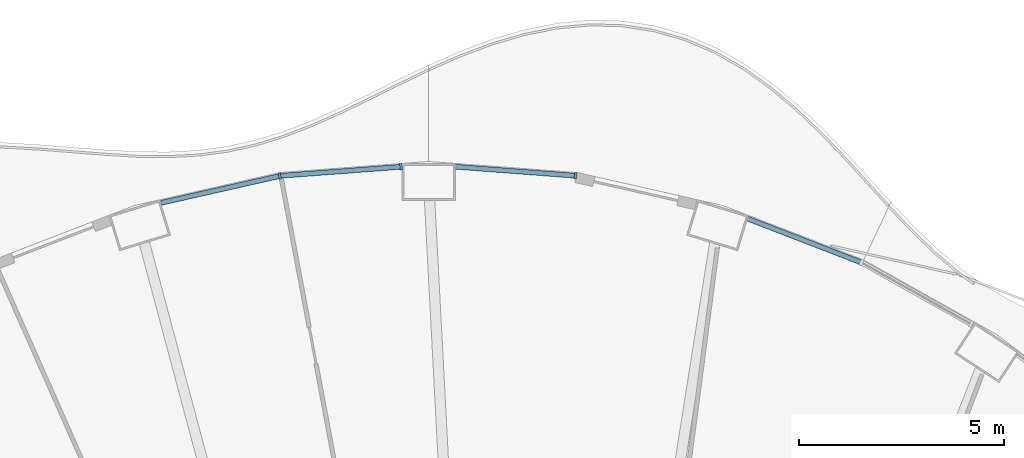
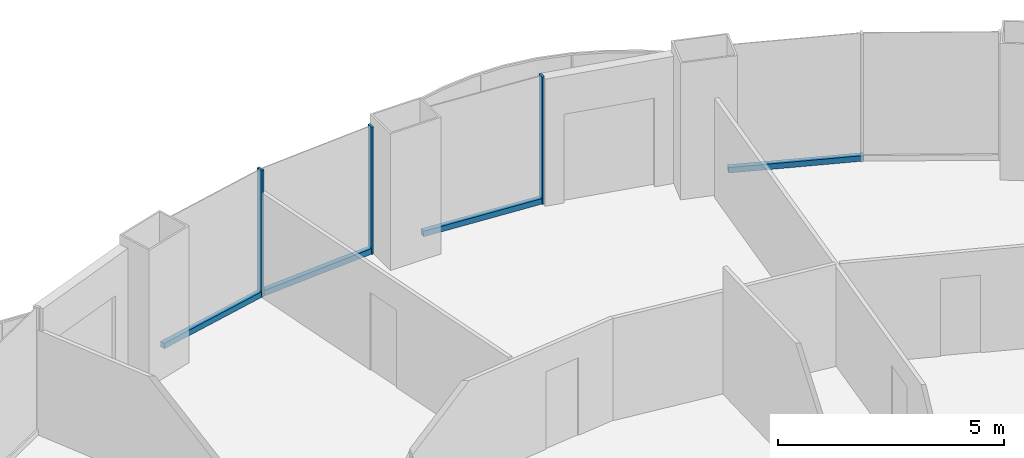
# One storey, part 11 of 22: 7 members, 4 elements without a shape of their own.
"""IFC4 building model written with IfcOpenShell, lengths in metres."""

from ifc_helpers import new_model, si_unit, direction, frame, origin, origin_2d, place, context, subcontext, project, spatial, rectangle, extrude, material, layer, layer_set, material_profile, profile_set, type_object, element, aggregate, save


model = new_model("IFC4")

# Units and contexts
model_context = context("Model", 3, precision=1e-05, world=origin(), true_north=direction((0.0, 1.0)))
body_context = subcontext(model_context, "Body", "Model", "MODEL_VIEW")
ifc_project = project(units=[si_unit("LENGTHUNIT", "METRE"), si_unit("AREAUNIT", "SQUARE_METRE"), si_unit("VOLUMEUNIT", "CUBIC_METRE"), si_unit("PLANEANGLEUNIT", "RADIAN"), si_unit("MASSUNIT", "GRAM", prefix="KILO")], contexts=[model_context])

# Site, building, storey
site_placement = place(None, origin())
site = spatial("IfcSite", under=ifc_project, at=site_placement, CompositionType="ELEMENT")
building_placement = place(site_placement, origin())
building = spatial("IfcBuilding", under=site, at=building_placement, Name="Nagisa Residences", CompositionType="ELEMENT")
storey_placement = place(building_placement, frame((0.0, 0.0, 73.300048828125)))
storey = spatial("IfcBuildingStorey", under=building, at=storey_placement, Name="L17", CompositionType="ELEMENT", Elevation=73.300048828125)

# Curtain wall, member
ifc_material_1 = material(Name="Concrete-coloured aluminium curtain wall system", Category="concrete")
ifc_layer = layer(ifc_material_1, 0.159912109375)
ifc_layer_set = layer_set([ifc_layer], Name="CW1 CURTAIN WALL")
curtain_wall_type = type_object("IfcCurtainWallType", Name="CW1 CURTAIN WALL", PredefinedType="NOTDEFINED", material=ifc_layer_set)
curtain_wall_1_placement = place(storey_placement, origin())
curtain_wall_1 = element("IfcCurtainWall", 1, at=curtain_wall_1_placement, inside=storey, type_object=curtain_wall_type, Name="cw:CW1:L17:11", PredefinedType="NOTDEFINED")
ifc_material_2 = material(Name="Concrete-coloured aluminium", Category="concrete")
ifc_material_profile_1 = material_profile(ifc_material_2, rectangle(XDim=0.159912109375, YDim=0.06005859375, at=origin_2d()), Name="CW1 MULLION 160x60")
ifc_profile_set_1 = profile_set([ifc_material_profile_1], Name="Concrete-coloured aluminium")
member_type_1 = type_object("IfcMemberType", Name="CW1 MULLION 160x60", PredefinedType="MULLION", material=ifc_profile_set_1)
member_1_placement = place(storey_placement, frame((1.779052734375, 34.28564453125, 0.0), z_axis=(0.0, 0.0, 1.0), x_axis=(-0.074377355493, -0.997230168512, 0.0)))
member_1 = element("IfcMember", 2, at=member_1_placement, type_object=member_type_1, Name="CW1 mullion", PredefinedType="MULLION", context=body_context, shape_type="SweptSolid", body=[
    extrude(rectangle(XDim=0.159912109375, YDim=0.06005859375, at=origin_2d()), origin(), (0.0, 0.0, 1.0), 3.43994140625),
])

curtain_wall_2_placement = place(storey_placement, origin())
curtain_wall_2 = element("IfcCurtainWall", 3, at=curtain_wall_2_placement, inside=storey, type_object=curtain_wall_type, Name="cw:CW1:L17:12", PredefinedType="NOTDEFINED")
member_2_placement = place(storey_placement, frame((-2.47216796875, 34.50244140625, 0.0), z_axis=(0.0, 0.0, 1.0), x_axis=(0.074377355493, -0.997230168512, 0.0)))
member_2 = element("IfcMember", 4, at=member_2_placement, type_object=member_type_1, Name="CW1 mullion", PredefinedType="MULLION", context=body_context, shape_type="SweptSolid", body=[
    extrude(rectangle(XDim=0.159912109375, YDim=0.06005859375, at=origin_2d()), origin(), (0.0, 0.0, 1.0), 3.43994140625),
])

curtain_wall_3_placement = place(storey_placement, origin())
curtain_wall_3 = element("IfcCurtainWall", 5, at=curtain_wall_3_placement, inside=storey, type_object=curtain_wall_type, Name="cw:CW1:L17:13", PredefinedType="NOTDEFINED")
member_3_placement = place(storey_placement, frame((-5.426513671875, 34.2783203125, 0.0), z_axis=(0.0, 0.0, 1.0), x_axis=(0.2207639201, -0.975327274089, 0.0)))
member_3 = element("IfcMember", 6, at=member_3_placement, type_object=member_type_1, Name="CW1 mullion", PredefinedType="MULLION", context=body_context, shape_type="SweptSolid", body=[
    extrude(rectangle(XDim=0.159912109375, YDim=0.06005859375, at=origin_2d()), origin(), (0.0, 0.0, 1.0), 3.43994140625),
])

curtain_wall_4_placement = place(storey_placement, origin())
curtain_wall_4 = element("IfcCurtainWall", 7, at=curtain_wall_4_placement, inside=storey, type_object=curtain_wall_type, Name="cw:CW1:L17:09", PredefinedType="NOTDEFINED")
ifc_material_3 = material(Name="Concrete-coloured aluminium", Category="concrete")
ifc_material_profile_2 = material_profile(ifc_material_3, rectangle(XDim=0.1201171875, YDim=0.14990234375, at=origin_2d()), Name="CW1 TRANSOM 120x150")
ifc_profile_set_2 = profile_set([ifc_material_profile_2], Name="Concrete-coloured aluminium")
member_type_2 = type_object("IfcMemberType", Name="CW1 TRANSOM 120x150", PredefinedType="USERDEFINED", material=ifc_profile_set_2)
member_4_placement = place(storey_placement, frame((8.76953125, 32.1591796875, 0.074951171875), z_axis=(-0.932827091302, 0.360324322982, 0.0), x_axis=(-0.360324322982, -0.932827091302, 0.0)))
member_4 = element("IfcMember", 8, at=member_4_placement, type_object=member_type_2, Name="CW1 transom", ObjectType="TRANSOM", PredefinedType="USERDEFINED", context=body_context, shape_type="SweptSolid", body=[
    extrude(rectangle(XDim=0.1201171875, YDim=0.14990234375, at=origin_2d()), origin(), (0.0, 0.0, 1.0), 3.02734375),
])
aggregate(curtain_wall_4, [member_4])

# Member
member_5_placement = place(storey_placement, frame((1.80908203125, 34.283203125, 0.074951171875), z_axis=(-0.997226174467, 0.074430887117, 0.0), x_axis=(-0.074430887117, -0.997226174467, 0.0)))
member_5 = element("IfcMember", 9, at=member_5_placement, type_object=member_type_2, Name="CW1 transom", ObjectType="TRANSOM", PredefinedType="USERDEFINED", context=body_context, shape_type="SweptSolid", body=[
    extrude(rectangle(XDim=0.1201171875, YDim=0.14990234375, at=origin_2d()), origin(), (0.0, 0.0, 1.0), 2.97509765625),
])

aggregate(curtain_wall_1, [member_1, member_5])

member_6_placement = place(storey_placement, frame((-2.442138671875, 34.504638671875, 0.074951171875), z_axis=(-0.997226174467, -0.074430887117, 0.0), x_axis=(0.074430887117, -0.997226174467, 0.0)))
member_6 = element("IfcMember", 10, at=member_6_placement, type_object=member_type_2, Name="CW1 transom", ObjectType="TRANSOM", PredefinedType="USERDEFINED", context=body_context, shape_type="SweptSolid", body=[
    extrude(rectangle(XDim=0.1201171875, YDim=0.14990234375, at=origin_2d()), origin(), (0.0, 0.0, 1.0), 2.97509765625),
])

aggregate(curtain_wall_2, [member_2, member_6])

member_7_placement = place(storey_placement, frame((-5.397216796875, 34.28515625, 0.074951171875), z_axis=(-0.975317607872, -0.220806620767, 0.0), x_axis=(0.220806620767, -0.975317607872, 0.0)))
member_7 = element("IfcMember", 11, at=member_7_placement, type_object=member_type_2, Name="CW1 transom", ObjectType="TRANSOM", PredefinedType="USERDEFINED", context=body_context, shape_type="SweptSolid", body=[
    extrude(rectangle(XDim=0.1201171875, YDim=0.14990234375, at=origin_2d()), origin(), (0.0, 0.0, 1.0), 2.9931640625),
])

aggregate(curtain_wall_3, [member_3, member_7])

save(model, "model.ifc")
